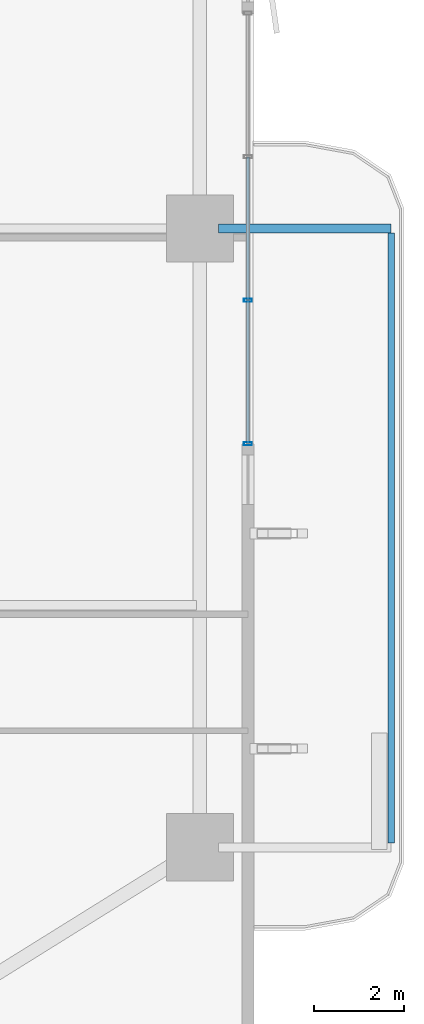
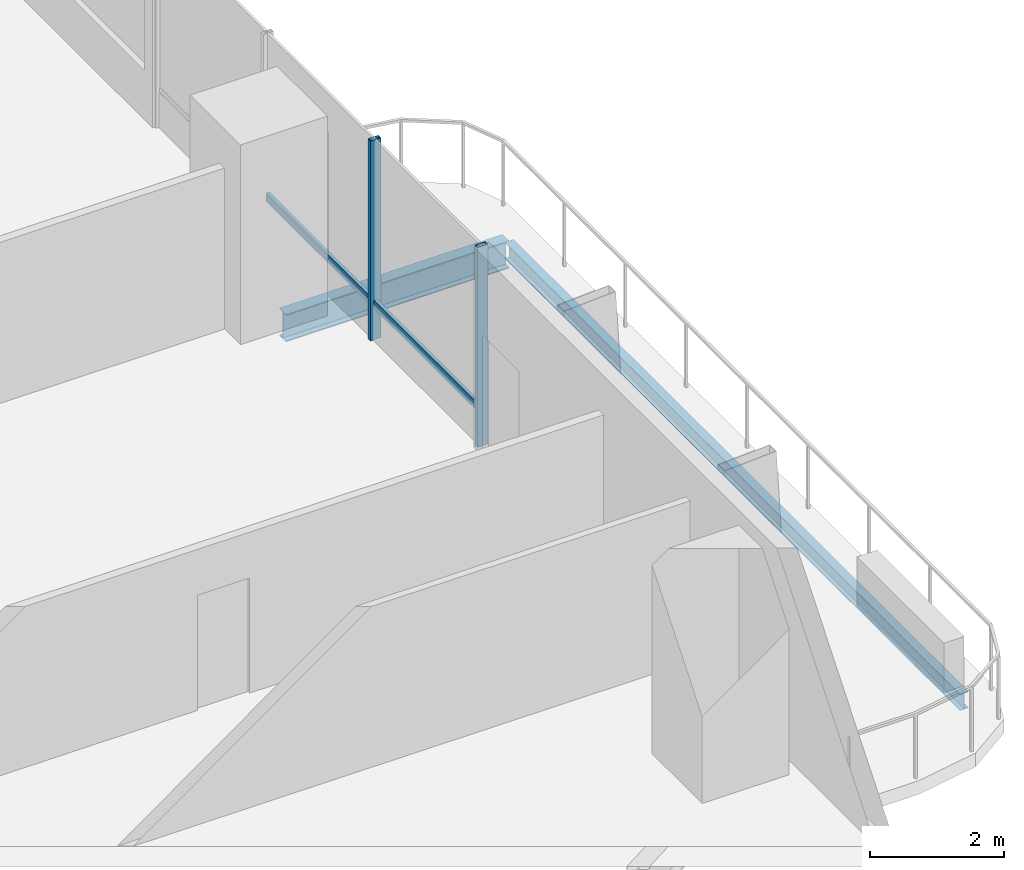
# One storey, part 8 of 23: 4 members, 2 beams, 1 element without a shape of its own.
"""IFC4 building model written with IfcOpenShell, lengths in metres."""

import ifcopenshell
import ifcopenshell.guid

model = None  # the IFC model being written
_history = None  # IfcOwnerHistory: only IFC2X3 demands one
_inside = {}  # id of a spatial element -> (the spatial element, [elements in it])
_under = {}  # id of a project, library or spatial element -> (it, [spatial elements below it])
_declared = {}  # id of a project -> (the project, [libraries it declares])
_typed = {}  # id of a type object -> (the type object, [elements of that type])
_made_of = {}  # id of a material, layer set ... -> (it, [elements and type objects made of it])


def new_model(schema):
    """Start an empty IFC model of exactly this schema.

    Asked for "IFC4X3", IfcOpenShell would pick the latest addendum, in which some entities
    have other attributes; the version numbers below select the first issue.
    IFC2X3 requires an IfcOwnerHistory on every rooted entity: one is made here for all.
    """
    global model, _history
    if schema == "IFC4X3":
        model = ifcopenshell.file(schema_version=(4, 3, 0, 0))
    else:
        model = ifcopenshell.file(schema=schema)
    _inside.clear()
    _under.clear()
    _declared.clear()
    _typed.clear()
    _made_of.clear()
    _history = None
    if model.schema == "IFC2X3":
        org = make("IfcOrganization", Name="unknown")
        user = make(
            "IfcPersonAndOrganization",
            ThePerson=make("IfcPerson", FamilyName="unknown"),
            TheOrganization=org,
        )
        app = make(
            "IfcApplication",
            ApplicationDeveloper=org,
            Version="unknown",
            ApplicationFullName="unknown",
            ApplicationIdentifier="unknown",
        )
        _history = make(
            "IfcOwnerHistory",
            OwningUser=user,
            OwningApplication=app,
            ChangeAction="ADDED",
            CreationDate=0,
        )
    return model


def make(cls, **values):
    """One entity of the class cls with the attributes given. An attribute that is None is left unset."""
    return model.create_entity(
        cls, **{name: value for name, value in values.items() if value is not None}
    )


def rooted(cls, **values):
    """An entity with a GlobalId (a new one), such as an element, a storey or a relation."""
    return make(cls, GlobalId=ifcopenshell.guid.new(), OwnerHistory=_history, **values)


def si_unit(unit_type, name, prefix=None):
    """IfcSIUnit, for example si_unit("LENGTHUNIT", "METRE", prefix="MILLI")."""
    return make("IfcSIUnit", UnitType=unit_type, Prefix=prefix, Name=name)


def assignment(units):
    """IfcUnitAssignment: the units of a project."""
    return None if units is None else make("IfcUnitAssignment", Units=units)


def point(xyz):
    """IfcCartesianPoint."""
    return None if xyz is None else make("IfcCartesianPoint", Coordinates=xyz)


def direction(xyz):
    """IfcDirection."""
    return None if xyz is None else make("IfcDirection", DirectionRatios=xyz)


def frame(location, z_axis=None, x_axis=None):
    """IfcAxis2Placement3D, a coordinate frame: its origin and axes. An axis left out is left unset."""
    return make(
        "IfcAxis2Placement3D",
        Location=point(location),
        Axis=direction(z_axis),
        RefDirection=direction(x_axis),
    )


def frame_2d(location, x_axis=None):
    """IfcAxis2Placement2D, a coordinate frame in the plane: its origin and x axis."""
    return make(
        "IfcAxis2Placement2D", Location=point(location), RefDirection=direction(x_axis)
    )


def origin():
    """The frame at (0, 0, 0) with its axes left unset."""
    return frame((0.0, 0.0, 0.0))


def origin_2d():
    """The frame at (0, 0) in the plane with its x axis left unset."""
    return frame_2d((0.0, 0.0))


def place(relative_to, where):
    """IfcLocalPlacement: puts the frame where relative to a parent placement (None: the world)."""
    return make(
        "IfcLocalPlacement", PlacementRelTo=relative_to, RelativePlacement=where
    )


def context(
    kind, dimensions, precision=None, world=None, true_north=None, identifier=None
):
    """IfcGeometricRepresentationContext, for example the 3D "Model" context."""
    return make(
        "IfcGeometricRepresentationContext",
        ContextIdentifier=identifier,
        ContextType=kind,
        CoordinateSpaceDimension=dimensions,
        Precision=precision,
        WorldCoordinateSystem=world,
        TrueNorth=true_north,
    )


def subcontext(parent, identifier, kind, view, scale=None):
    """IfcGeometricRepresentationSubContext, for example "Body" below "Model"."""
    return make(
        "IfcGeometricRepresentationSubContext",
        ContextIdentifier=identifier,
        ContextType=kind,
        ParentContext=parent,
        TargetScale=scale,
        TargetView=view,
    )


def project(units=None, contexts=None):
    """IfcProject with its units and contexts."""
    return rooted(
        "IfcProject",
        Name="project",
        RepresentationContexts=contexts,
        UnitsInContext=assignment(units),
    )


def spatial(cls, under=None, at=None, **own):
    """A site, building, storey or space (cls), placed at a placement, below another one or the project."""
    s = rooted(cls, ObjectPlacement=at, **own)
    if under is not None:
        _under.setdefault(under.id(), (under, []))[1].append(s)
    return s


def profile(cls, at=None, kind="AREA", **sizes):
    """A parametric profile (cls). Its sizes go by their IFC names, for example OverallWidth=200.0."""
    return make(cls, ProfileType=kind, Position=at, **sizes)


def hollow_rectangle(**sizes):
    """IfcRectangleHollowProfileDef."""
    return profile("IfcRectangleHollowProfileDef", **sizes)


def i_section(**sizes):
    """IfcIShapeProfileDef."""
    return profile("IfcIShapeProfileDef", **sizes)


def extrude(swept, where, along, depth):
    """IfcExtrudedAreaSolid: the profile swept, set in the frame where, extruded along a direction by depth."""
    return make(
        "IfcExtrudedAreaSolid",
        SweptArea=swept,
        Position=where,
        ExtrudedDirection=direction(along),
        Depth=depth,
    )


def shape(context_of_items, identifier, shape_type, items):
    """IfcShapeRepresentation: the items that make up one representation, for example the "Body"."""
    return make(
        "IfcShapeRepresentation",
        ContextOfItems=context_of_items,
        RepresentationIdentifier=identifier,
        RepresentationType=shape_type,
        Items=items,
    )


def material(Name=None, Category=None):
    """IfcMaterial."""
    return make("IfcMaterial", Name=Name, Category=Category)


def layer(
    of_material, thickness, ventilated=None, Name=None, Category=None, Priority=None
):
    """IfcMaterialLayer: one layer of a wall or slab, of a material (None: an air gap)."""
    return make(
        "IfcMaterialLayer",
        Material=of_material,
        LayerThickness=thickness,
        IsVentilated=ventilated,
        Name=Name,
        Category=Category,
        Priority=Priority,
    )


def layer_set(layers, Name=None):
    """IfcMaterialLayerSet."""
    return make("IfcMaterialLayerSet", MaterialLayers=layers, LayerSetName=Name)


def material_profile(
    of_material, cross_section, Name=None, Category=None, Priority=None
):
    """IfcMaterialProfile: a cross section and its material."""
    return make(
        "IfcMaterialProfile",
        Name=Name,
        Material=of_material,
        Profile=cross_section,
        Priority=Priority,
        Category=Category,
    )


def profile_set(profiles, Name=None, composite=None):
    """IfcMaterialProfileSet."""
    return make(
        "IfcMaterialProfileSet",
        Name=Name,
        MaterialProfiles=profiles,
        CompositeProfile=composite,
    )


def made_of(thing, what):
    """Note that an element or type object is made of a material, layer set ...; save() writes the relation."""
    if what is not None:
        _made_of.setdefault(what.id(), (what, []))[1].append(thing)
    return thing


def type_object(cls, material=None, **own):
    """A type object (cls), such as IfcWallType, which elements share."""
    return made_of(rooted(cls, **own), material)


def element(
    cls,
    number,
    at=None,
    inside=None,
    cuts=None,
    type_object=None,
    material=None,
    context=None,
    identifier="Body",
    shape_type=None,
    held_by="IfcProductDefinitionShape",
    body=None,
    shapes=None,
    **own,
):
    """One element of the class cls, such as IfcWall. Its Tag is "e" and its number.

    at: its placement. inside: the storey or other place that contains it. cuts: it is an
    opening in that element (IfcRelVoidsElement). A single representation is given by context,
    identifier, shape_type and body (its items); several are given by shapes. held_by: the class
    of the entity that holds the representations. save() writes the other relations.
    """
    e = rooted(cls, Tag="e%d" % number, ObjectPlacement=at, **own)
    if body is not None:
        shapes = [shape(context, identifier, shape_type, body)]
    if shapes is not None:
        e.Representation = make(held_by, Representations=shapes)
    if inside is not None:
        _inside.setdefault(inside.id(), (inside, []))[1].append(e)
    if cuts is not None:
        rooted(
            "IfcRelVoidsElement", RelatingBuildingElement=cuts, RelatedOpeningElement=e
        )
    if type_object is not None:
        _typed.setdefault(type_object.id(), (type_object, []))[1].append(e)
    return made_of(e, material)


def aggregate(whole, parts):
    """IfcRelAggregates: a whole, such as a stair, and the parts it consists of."""
    return rooted("IfcRelAggregates", RelatingObject=whole, RelatedObjects=parts)


def save(model, path):
    """Write the relations noted so far, then the file.

    IfcRelAggregates (storeys below a building ...), IfcRelContainedInSpatialStructure (elements
    in a storey), IfcRelDefinesByType, IfcRelAssociatesMaterial and IfcRelDeclares: one each for
    every whole, place, type object, material and project.
    """
    for whole, parts in _under.values():
        aggregate(whole, parts)
    for where, things in _inside.values():
        rooted(
            "IfcRelContainedInSpatialStructure",
            RelatedElements=things,
            RelatingStructure=where,
        )
    for kind, things in _typed.values():
        rooted("IfcRelDefinesByType", RelatedObjects=things, RelatingType=kind)
    for what, things in _made_of.values():
        rooted("IfcRelAssociatesMaterial", RelatedObjects=things, RelatingMaterial=what)
    for by, libraries in _declared.values():
        rooted("IfcRelDeclares", RelatingContext=by, RelatedDefinitions=libraries)
    model.write(path)


model = new_model("IFC4")

# Units and contexts
model_context = context("Model", 3, precision=1e-05, world=origin(), true_north=direction((0.0, 1.0)))
body_context = subcontext(model_context, "Body", "Model", "MODEL_VIEW")
ifc_project = project(units=[si_unit("LENGTHUNIT", "METRE"), si_unit("AREAUNIT", "SQUARE_METRE"), si_unit("VOLUMEUNIT", "CUBIC_METRE"), si_unit("PLANEANGLEUNIT", "RADIAN"), si_unit("MASSUNIT", "GRAM", prefix="KILO")], contexts=[model_context])

# Site, building, storey
site_placement = place(None, origin())
site = spatial("IfcSite", under=ifc_project, at=site_placement, CompositionType="ELEMENT")
building_placement = place(site_placement, origin())
building = spatial("IfcBuilding", under=site, at=building_placement, Name="Belovzor Exchange Tower", CompositionType="ELEMENT")
storey_placement = place(building_placement, frame((0.0, 0.0, 88.5)))
storey = spatial("IfcBuildingStorey", under=building, at=storey_placement, Name="L21", CompositionType="ELEMENT", Elevation=88.5)

# Beams
ifc_material_1 = material(Name="Steel S355", Category="steel")
ifc_material_profile_1 = material_profile(ifc_material_1, i_section(OverallWidth=0.199951171875, OverallDepth=0.5, WebThickness=0.01025390625, FlangeThickness=0.01611328125, at=origin_2d()))
ifc_profile_set_1 = profile_set([ifc_material_profile_1], Name="Steel S355")
beam_type_1 = type_object("IfcBeamType", Name="Planted Balcony Cantilever Beam IPE 500", PredefinedType="BEAM", material=ifc_profile_set_1)
beam_1_placement = place(storey_placement, frame((55.9130859375, 28.800048828125, -0.5), z_axis=(1.0, 0.0, 0.0), x_axis=(0.0, 1.0, 0.0)))
element("IfcBeam", 1, at=beam_1_placement, inside=storey, type_object=beam_type_1, Name="BC-500 Planted Balcony Cantilever Beam IPE 500", PredefinedType="BEAM", context=body_context, shape_type="SweptSolid", body=[
    extrude(i_section(OverallWidth=0.199951171875, OverallDepth=0.5, WebThickness=0.01025390625, FlangeThickness=0.01611328125, at=origin_2d()), origin(), (0.0, 0.0, 1.0), 3.849853515625),
])
ifc_material_2 = material(Name="Steel S355", Category="steel")
ifc_material_profile_2 = material_profile(ifc_material_2, i_section(OverallWidth=0.14990234375, OverallDepth=0.300048828125, WebThickness=0.007080078125, FlangeThickness=0.0107421875, at=origin_2d()))
ifc_profile_set_2 = profile_set([ifc_material_profile_2], Name="Steel S355")
beam_type_2 = type_object("IfcBeamType", Name="Planted Balcony Fascia Edge Beam IPE 300", PredefinedType="BEAM", material=ifc_profile_set_2)
beam_2_placement = place(storey_placement, frame((59.762939453125, 15.10009765625, -0.39990234375), z_axis=(0.0, 1.0, 0.0), x_axis=(-1.0, 0.0, 0.0)))
element("IfcBeam", 2, at=beam_2_placement, inside=storey, type_object=beam_type_2, Name="BC-300 Planted Balcony Fascia Edge Beam IPE 300", PredefinedType="BEAM", context=body_context, shape_type="SweptSolid", body=[
    extrude(i_section(OverallWidth=0.14990234375, OverallDepth=0.300048828125, WebThickness=0.007080078125, FlangeThickness=0.0107421875, at=origin_2d()), origin(), (0.0, 0.0, 1.0), 13.599853515625),
])

# Curtain wall, members
ifc_material_3 = material(Name="Anodised Aluminium Framing", Category="aluminium")
ifc_layer = layer(ifc_material_3, 0.179931640625)
ifc_layer_set = layer_set([ifc_layer], Name="Anodised Aluminium Framing")
curtain_wall_type = type_object("IfcCurtainWallType", Name="Recessed Loggia Low-Iron Triple-Glazed Curtain Wall", PredefinedType="NOTDEFINED", material=ifc_layer_set)
curtain_wall_placement = place(storey_placement, origin())
curtain_wall = element("IfcCurtainWall", 3, at=curtain_wall_placement, inside=storey, type_object=curtain_wall_type, Name="CW3 Recessed Loggia Low-Iron Triple-Glazed Curtain Wall L21", PredefinedType="NOTDEFINED")
ifc_material_4 = material(Name="Steel S355", Category="steel")
ifc_material_profile_3 = material_profile(ifc_material_4, hollow_rectangle(XDim=0.074951171875, YDim=0.179931640625, WallThickness=0.0048828125, at=origin_2d()))
ifc_profile_set_3 = profile_set([ifc_material_profile_3], Name="Steel S355")
member_type_1 = type_object("IfcMemberType", Name="Thermally Broken Curtain Wall Mullion 180x75", PredefinedType="MULLION", material=ifc_profile_set_3)
member_1_placement = place(storey_placement, frame((56.570068359375, 27.199951171875, 0.0), z_axis=(0.0, 0.0, 1.0), x_axis=(0.0, -1.0, 0.0)))
member_1 = element("IfcMember", 4, at=member_1_placement, type_object=member_type_1, Name="CW-M180 Curtain Wall Mullion 3", PredefinedType="MULLION", context=body_context, shape_type="SweptSolid", body=[
    extrude(hollow_rectangle(XDim=0.074951171875, YDim=0.179931640625, WallThickness=0.0048828125, at=origin_2d()), origin(), (0.0, 0.0, 1.0), 3.64990234375),
])
member_2_placement = place(storey_placement, frame((56.570068359375, 24.0, 0.0), z_axis=(0.0, 0.0, 1.0), x_axis=(0.0, -1.0, 0.0)))
member_2 = element("IfcMember", 5, at=member_2_placement, type_object=member_type_1, Name="CW-M180 Curtain Wall Mullion 4", PredefinedType="MULLION", context=body_context, shape_type="SweptSolid", body=[
    extrude(hollow_rectangle(XDim=0.074951171875, YDim=0.179931640625, WallThickness=0.0048828125, at=origin_2d()), origin(), (0.0, 0.0, 1.0), 3.64990234375),
])
ifc_material_5 = material(Name="Steel S355", Category="steel")
ifc_material_profile_4 = material_profile(ifc_material_5, hollow_rectangle(XDim=0.06005859375, YDim=0.14990234375, WallThickness=0.00390625, at=origin_2d()))
ifc_profile_set_4 = profile_set([ifc_material_profile_4], Name="Steel S355")
member_type_2 = type_object("IfcMemberType", Name="Thermally Broken Curtain Wall Transom 150x60", PredefinedType="USERDEFINED", material=ifc_profile_set_4)
member_3_placement = place(storey_placement, frame((56.570068359375, 30.39208984375, 0.64990234375), z_axis=(0.0, -1.0, 0.0), x_axis=(1.0, 0.0, 0.0)))
member_3 = element("IfcMember", 6, at=member_3_placement, type_object=member_type_2, Name="CW-T150 Curtain Wall Transom 2", ObjectType="TRANSOM", PredefinedType="USERDEFINED", context=body_context, shape_type="SweptSolid", body=[
    extrude(hollow_rectangle(XDim=0.06005859375, YDim=0.14990234375, WallThickness=0.00390625, at=origin_2d()), origin(), (0.0, 0.0, 1.0), 3.18408203125),
])
member_4_placement = place(storey_placement, frame((56.570068359375, 27.19189453125, 0.64990234375), z_axis=(0.0, -1.0, 0.0), x_axis=(1.0, 0.0, 0.0)))
member_4 = element("IfcMember", 7, at=member_4_placement, type_object=member_type_2, Name="CW-T150 Curtain Wall Transom 3", ObjectType="TRANSOM", PredefinedType="USERDEFINED", context=body_context, shape_type="SweptSolid", body=[
    extrude(hollow_rectangle(XDim=0.06005859375, YDim=0.14990234375, WallThickness=0.00390625, at=origin_2d()), origin(), (0.0, 0.0, 1.0), 3.183837890625),
])
aggregate(curtain_wall, [member_1, member_2, member_3, member_4])

save(model, "model.ifc")
